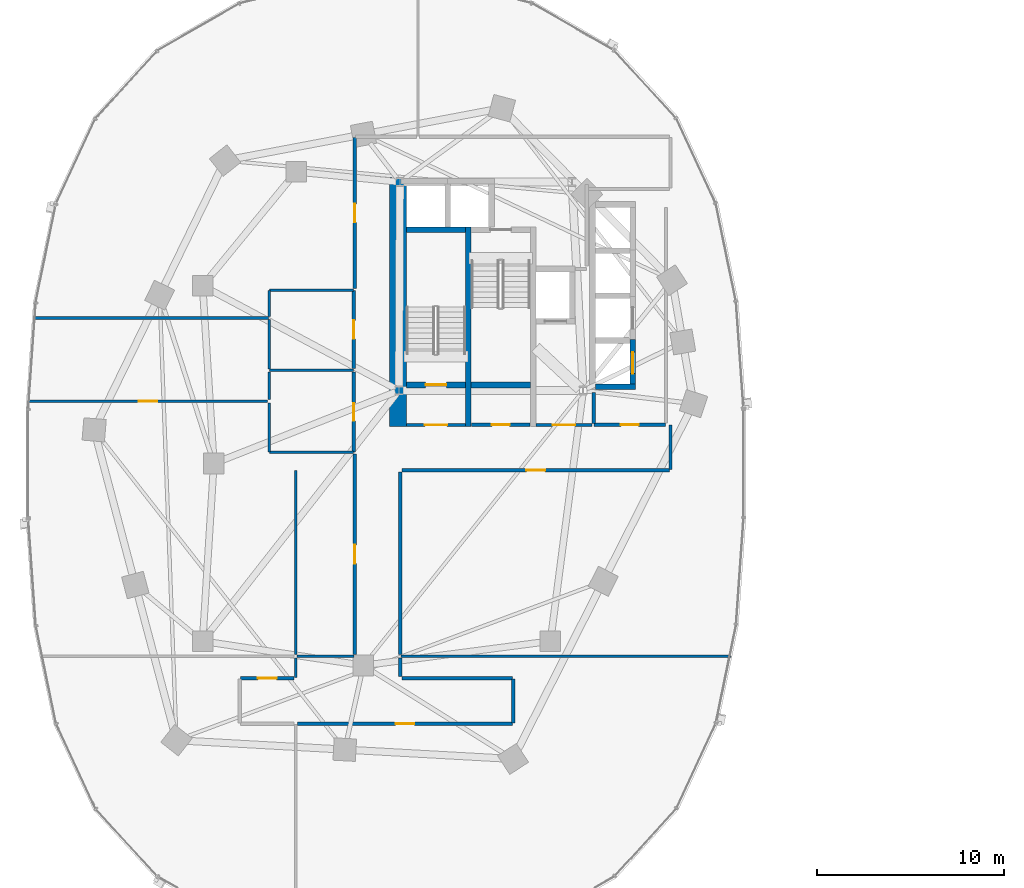
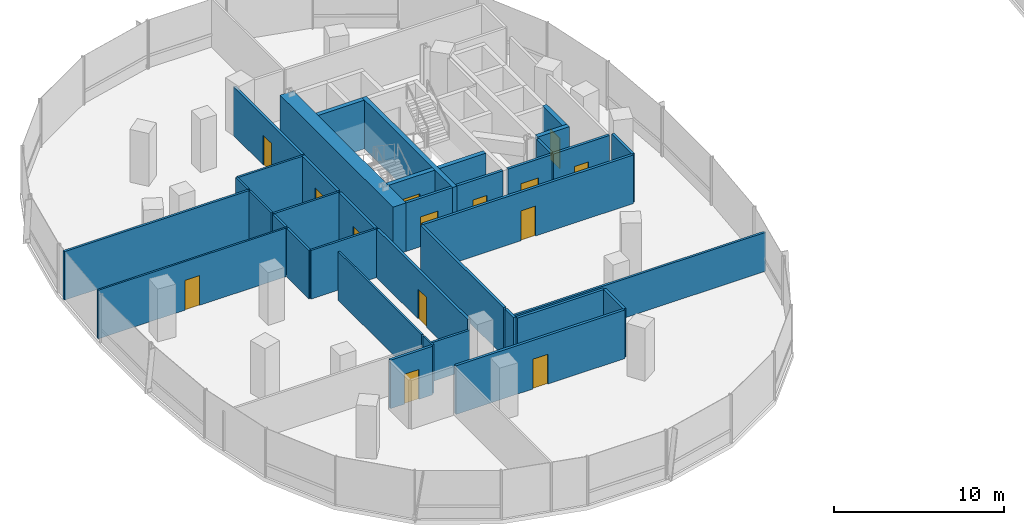
# One storey, part 11 of 21: 37 walls, 14 doors, 14 openings.
"""IFC4 building model written with IfcOpenShell, lengths in metres."""

from ifc_helpers import new_model, si_unit, direction, frame, frame_2d, origin, place, context, subcontext, project, spatial, rectangle, extrude, material, layer, layer_set, type_object, element, fill, save


model = new_model("IFC4")

# Units and contexts
model_context = context("Model", 3, precision=1e-05, world=origin(), true_north=direction((0.0, 1.0)))
body_context = subcontext(model_context, "Body", "Model", "MODEL_VIEW")
ifc_project = project(units=[si_unit("LENGTHUNIT", "METRE"), si_unit("AREAUNIT", "SQUARE_METRE"), si_unit("VOLUMEUNIT", "CUBIC_METRE"), si_unit("PLANEANGLEUNIT", "RADIAN"), si_unit("MASSUNIT", "GRAM", prefix="KILO"), si_unit("THERMODYNAMICTEMPERATUREUNIT", "KELVIN"), si_unit("POWERUNIT", "WATT")], contexts=[model_context])

# Site, building, storey
site_placement = place(None, origin())
site = spatial("IfcSite", under=ifc_project, at=site_placement, CompositionType="ELEMENT")
building_placement = place(site_placement, origin())
building = spatial("IfcBuilding", under=site, at=building_placement, Name="Cundina Bronze Exchange", CompositionType="ELEMENT")
storey_placement = place(building_placement, frame((0.0, 0.0, 50.60009765625)))
storey = spatial("IfcBuildingStorey", under=building, at=storey_placement, Name="L12", CompositionType="ELEMENT", Elevation=50.60009765625)

# Wall
ifc_material_1 = material(Name="Gypsum Fireboard Partition EI120")
ifc_layer_1 = layer(ifc_material_1, 0.179931640625, Name="Gypsum Fireboard Partition EI120")
ifc_layer_set_1 = layer_set([ifc_layer_1], Name="Gypsum Fireboard Partition EI120")
wall_type_1 = type_object("IfcWallType", Name="WL-COR-180", PredefinedType="PARTITIONING", material=ifc_layer_set_1)
wall_1_placement = place(storey_placement, frame((-20.889892578125, 2.14990234375, 0.0), z_axis=(0.0, 0.0, 1.0), x_axis=(0.0, 1.0, 0.0)))
element("IfcWall", 1, at=wall_1_placement, inside=storey, type_object=wall_type_1, Name="L12 W Firefighting Lobby Side Wall", PredefinedType="PARTITIONING", context=body_context, shape_type="SweptSolid", body=[
    extrude(rectangle(XDim=1.650146484375, YDim=0.179931640625, at=frame_2d((0.8251953125, 0.0))), origin(), (0.0, 0.0, 1.0), 3.5),
])

# Wall, opening, door
wall_2_placement = place(storey_placement, frame((-23.97998046875, 2.06005859375, 0.0), z_axis=(0.0, 0.0, 1.0), x_axis=(1.0, 0.0, 0.0)))
wall_2 = element("IfcWall", 2, at=wall_2_placement, inside=storey, type_object=wall_type_1, Name="L12 W Firefighting Lobby Exit Wall", PredefinedType="PARTITIONING", context=body_context, shape_type="SweptSolid", body=[
    extrude(rectangle(XDim=3.0, YDim=0.179931640625, at=frame_2d((1.5, 0.0))), origin(), (0.0, 0.0, 1.0), 3.5),
])
opening_1_placement = place(wall_2_placement, frame((0.89990234375, 0.0, 0.0)))
opening_1 = element("IfcOpeningElement", 3, at=opening_1_placement, cuts=wall_2, Name="Opening DF-01", PredefinedType="OPENING", context=body_context, shape_type="SweptSolid", body=[
    extrude(rectangle(XDim=1.199951171875, YDim=2.14990234375, at=frame_2d((0.60009765625, 1.074951171875))), frame((0.0, 0.099853515625, 0.0), z_axis=(0.0, -1.0, 0.0), x_axis=(1.0, 0.0, 0.0)), (0.0, 0.0, 1.0), 0.199951171875),
])
ifc_material_2 = material(Name="Steel ASTM A36 Painted", Category="steel")
door_type_1 = type_object("IfcDoorType", Name="DR-FFL-1200", OperationType="NOTDEFINED", PredefinedType="DOOR", material=ifc_material_2)
door_1_placement = place(opening_1_placement, origin())
door_1 = element("IfcDoor", 4, at=door_1_placement, inside=storey, type_object=door_type_1, Name="L12 W Firefighting Lobby Door", OperationType="SINGLE_SWING_RIGHT", OverallHeight=2.14990234375, OverallWidth=1.199951171875, PredefinedType="DOOR", context=body_context, shape_type="SweptSolid", body=[
    extrude(rectangle(XDim=1.199951171875, YDim=2.14990234375, at=frame_2d((0.60009765625, 1.074951171875))), frame((0.0, 0.02490234375, 0.0), z_axis=(0.0, -1.0, 0.0), x_axis=(1.0, 0.0, 0.0)), (0.0, 0.0, 1.0), 0.050048828125),
])
fill(opening_1, door_1)

wall_3_placement = place(storey_placement, frame((-30.89990234375, 2.06005859375, 0.0), z_axis=(0.0, 0.0, 1.0), x_axis=(1.0, 0.0, 0.0)))
wall_3 = element("IfcWall", 5, at=wall_3_placement, inside=storey, type_object=wall_type_1, Name="L12 W Stair Vestibule Exit Wall", PredefinedType="PARTITIONING", context=body_context, shape_type="SweptSolid", body=[
    extrude(rectangle(XDim=3.159912109375, YDim=0.179931640625, at=frame_2d((1.580078125, 0.0))), origin(), (0.0, 0.0, 1.0), 3.5),
])
opening_2_placement = place(wall_3_placement, frame((0.97998046875, 0.0, 0.0)))
opening_2 = element("IfcOpeningElement", 6, at=opening_2_placement, cuts=wall_3, Name="Opening DF-01", PredefinedType="OPENING", context=body_context, shape_type="SweptSolid", body=[
    extrude(rectangle(XDim=1.199951171875, YDim=2.14990234375, at=frame_2d((0.60009765625, 1.074951171875))), frame((0.0, 0.099853515625, 0.0), z_axis=(0.0, -1.0, 0.0), x_axis=(1.0, 0.0, 0.0)), (0.0, 0.0, 1.0), 0.199951171875),
])
door_2_placement = place(opening_2_placement, origin())
door_2 = element("IfcDoor", 7, at=door_2_placement, inside=storey, type_object=door_type_1, Name="L12 W Stair Vestibule Door", OperationType="SINGLE_SWING_LEFT", OverallHeight=2.14990234375, OverallWidth=1.199951171875, PredefinedType="DOOR", context=body_context, shape_type="SweptSolid", body=[
    extrude(rectangle(XDim=1.199951171875, YDim=2.14990234375, at=frame_2d((0.60009765625, 1.074951171875))), frame((0.0, 0.02490234375, 0.0), z_axis=(0.0, -1.0, 0.0), x_axis=(1.0, 0.0, 0.0)), (0.0, 0.0, 1.0), 0.050048828125),
])
fill(opening_2, door_2)

wall_4_placement = place(storey_placement, frame((-20.8701171875, 2.070068359375, 0.0), z_axis=(0.0, 0.0, 1.0), x_axis=(1.0, 0.0, 0.0)))
wall_4 = element("IfcWall", 8, at=wall_4_placement, inside=storey, type_object=wall_type_1, Name="L12 Interior Partition 002", PredefinedType="PARTITIONING", context=body_context, shape_type="SweptSolid", body=[
    extrude(rectangle(XDim=3.830078125, YDim=0.179931640625, at=frame_2d((1.9150390625, 0.0))), origin(), (0.0, 0.0, 1.0), 3.5),
])
opening_3_placement = place(wall_4_placement, frame((1.43994140625, 0.0, 0.0)))
opening_3 = element("IfcOpeningElement", 9, at=opening_3_placement, cuts=wall_4, Name="Opening DW-01", PredefinedType="OPENING", context=body_context, shape_type="SweptSolid", body=[
    extrude(rectangle(XDim=0.949951171875, YDim=2.10009765625, at=frame_2d((0.47509765625, 1.050048828125))), frame((0.0, 0.099853515625, 0.0), z_axis=(0.0, -1.0, 0.0), x_axis=(1.0, 0.0, 0.0)), (0.0, 0.0, 1.0), 0.199951171875),
])
ifc_material_3 = material(Name="Solid Andean Oak Timber Grade A", Category="wood")
door_type_2 = type_object("IfcDoorType", Name="DR-WC-950", OperationType="NOTDEFINED", PredefinedType="DOOR", material=ifc_material_3)
door_3_placement = place(opening_3_placement, origin())
door_3 = element("IfcDoor", 10, at=door_3_placement, inside=storey, type_object=door_type_2, Name="L12 Interior Door 002", OperationType="SINGLE_SWING_RIGHT", OverallHeight=2.10009765625, OverallWidth=0.949951171875, PredefinedType="DOOR", context=body_context, shape_type="SweptSolid", body=[
    extrude(rectangle(XDim=0.949951171875, YDim=2.10009765625, at=frame_2d((0.47509765625, 1.050048828125))), frame((0.0, 0.02490234375, 0.0), z_axis=(0.0, -1.0, 0.0), x_axis=(1.0, 0.0, 0.0)), (0.0, 0.0, 1.0), 0.050048828125),
])
fill(opening_3, door_3)

wall_5_placement = place(storey_placement, frame((-27.419921875, 2.070068359375, 0.0), z_axis=(0.0, 0.0, 1.0), x_axis=(1.0, 0.0, 0.0)))
wall_5 = element("IfcWall", 11, at=wall_5_placement, inside=storey, type_object=wall_type_1, Name="L12 Interior Partition 005", PredefinedType="PARTITIONING", context=body_context, shape_type="SweptSolid", body=[
    extrude(rectangle(XDim=3.119873046875, YDim=0.179931640625, at=frame_2d((1.56005859375, 0.0))), origin(), (0.0, 0.0, 1.0), 3.5),
])
opening_4_placement = place(wall_5_placement, frame((1.0849609375, 0.0, 0.0)))
opening_4 = element("IfcOpeningElement", 12, at=opening_4_placement, cuts=wall_5, Name="Opening DW-01", PredefinedType="OPENING", context=body_context, shape_type="SweptSolid", body=[
    extrude(rectangle(XDim=0.949951171875, YDim=2.10009765625, at=frame_2d((0.47509765625, 1.050048828125))), frame((0.0, 0.099853515625, 0.0), z_axis=(0.0, -1.0, 0.0), x_axis=(1.0, 0.0, 0.0)), (0.0, 0.0, 1.0), 0.199951171875),
])
door_4_placement = place(opening_4_placement, origin())
door_4 = element("IfcDoor", 13, at=door_4_placement, inside=storey, type_object=door_type_2, Name="L12 Interior Door 005", OperationType="SINGLE_SWING_RIGHT", OverallHeight=2.10009765625, OverallWidth=0.949951171875, PredefinedType="DOOR", context=body_context, shape_type="SweptSolid", body=[
    extrude(rectangle(XDim=0.949951171875, YDim=2.10009765625, at=frame_2d((0.47509765625, 1.050048828125))), frame((0.0, 0.02490234375, 0.0), z_axis=(0.0, -1.0, 0.0), x_axis=(1.0, 0.0, 0.0)), (0.0, 0.0, 1.0), 0.050048828125),
])
fill(opening_4, door_4)

wall_6_placement = place(storey_placement, frame((-33.719970703125, 0.6201171875, 0.0), z_axis=(0.0, 0.0, 1.0), x_axis=(0.0, 1.0, 0.0)))
wall_6 = element("IfcWall", 14, at=wall_6_placement, inside=storey, type_object=wall_type_1, Name="L12 Interior Partition 013", PredefinedType="PARTITIONING", context=body_context, shape_type="SweptSolid", body=[
    extrude(rectangle(XDim=4.259765625, YDim=0.179931640625, at=frame_2d((2.1298828125, 0.0))), origin(), (0.0, 0.0, 1.0), 3.5),
])
opening_5_placement = place(wall_6_placement, frame((1.655029296875, 0.0, 0.0)))
opening_5 = element("IfcOpeningElement", 15, at=opening_5_placement, cuts=wall_6, Name="Opening DW-01", PredefinedType="OPENING", context=body_context, shape_type="SweptSolid", body=[
    extrude(rectangle(XDim=0.949951171875, YDim=2.10009765625, at=frame_2d((0.47509765625, 1.050048828125))), frame((0.0, 0.099853515625, 0.0), z_axis=(0.0, -1.0, 0.0), x_axis=(1.0, 0.0, 0.0)), (0.0, 0.0, 1.0), 0.199951171875),
])
door_5_placement = place(opening_5_placement, origin())
door_5 = element("IfcDoor", 16, at=door_5_placement, inside=storey, type_object=door_type_2, Name="L12 Interior Door 013", OperationType="SINGLE_SWING_RIGHT", OverallHeight=2.10009765625, OverallWidth=0.949951171875, PredefinedType="DOOR", context=body_context, shape_type="SweptSolid", body=[
    extrude(rectangle(XDim=0.949951171875, YDim=2.10009765625, at=frame_2d((0.47509765625, 1.050048828125))), frame((0.0, 0.02490234375, 0.0), z_axis=(0.0, -1.0, 0.0), x_axis=(1.0, 0.0, 0.0)), (0.0, 0.0, 1.0), 0.050048828125),
])
fill(opening_5, door_5)

wall_7_placement = place(storey_placement, frame((-33.719970703125, 5.080078125, 0.0), z_axis=(0.0, 0.0, 1.0), x_axis=(0.0, 1.0, 0.0)))
wall_7 = element("IfcWall", 17, at=wall_7_placement, inside=storey, type_object=wall_type_1, Name="L12 Interior Partition 014", PredefinedType="PARTITIONING", context=body_context, shape_type="SweptSolid", body=[
    extrude(rectangle(XDim=4.159912109375, YDim=0.179931640625, at=frame_2d((2.080078125, 0.0))), origin(), (0.0, 0.0, 1.0), 3.5),
])
opening_6_placement = place(wall_7_placement, frame((1.580078125, 0.0, 0.0)))
opening_6 = element("IfcOpeningElement", 18, at=opening_6_placement, cuts=wall_7, Name="Opening DO-01", PredefinedType="OPENING", context=body_context, shape_type="SweptSolid", body=[
    extrude(rectangle(XDim=1.0, YDim=2.14990234375, at=frame_2d((0.5, 1.074951171875))), frame((0.0, 0.099853515625, 0.0), z_axis=(0.0, -1.0, 0.0), x_axis=(1.0, 0.0, 0.0)), (0.0, 0.0, 1.0), 0.199951171875),
])
door_type_3 = type_object("IfcDoorType", Name="DR-OFF-1000", OperationType="NOTDEFINED", PredefinedType="DOOR", material=ifc_material_3)
door_6_placement = place(opening_6_placement, origin())
door_6 = element("IfcDoor", 19, at=door_6_placement, inside=storey, type_object=door_type_3, Name="L12 Interior Door 014", OperationType="SINGLE_SWING_RIGHT", OverallHeight=2.14990234375, OverallWidth=1.0, PredefinedType="DOOR", context=body_context, shape_type="SweptSolid", body=[
    extrude(rectangle(XDim=1.0, YDim=2.14990234375, at=frame_2d((0.5, 1.074951171875))), frame((0.0, 0.02490234375, 0.0), z_axis=(0.0, -1.0, 0.0), x_axis=(1.0, 0.0, 0.0)), (0.0, 0.0, 1.0), 0.050048828125),
])
fill(opening_6, door_6)

wall_8_placement = place(storey_placement, frame((-36.72998046875, -13.919921875, 0.0), z_axis=(0.0, 0.0, 1.0), x_axis=(1.0, 0.0, 0.0)))
wall_8 = element("IfcWall", 20, at=wall_8_placement, inside=storey, type_object=wall_type_1, Name="L12 Interior Partition 023", PredefinedType="PARTITIONING", context=body_context, shape_type="SweptSolid", body=[
    extrude(rectangle(XDim=11.508544921875, YDim=0.179931640625, at=frame_2d((5.75439453125, 0.0))), origin(), (0.0, 0.0, 1.0), 3.5),
])
opening_7_placement = place(wall_8_placement, frame((5.254150390625, 0.0, 0.0)))
opening_7 = element("IfcOpeningElement", 21, at=opening_7_placement, cuts=wall_8, Name="Opening DO-01", PredefinedType="OPENING", context=body_context, shape_type="SweptSolid", body=[
    extrude(rectangle(XDim=1.0, YDim=2.14990234375, at=frame_2d((0.5, 1.074951171875))), frame((0.0, 0.099853515625, 0.0), z_axis=(0.0, -1.0, 0.0), x_axis=(1.0, 0.0, 0.0)), (0.0, 0.0, 1.0), 0.199951171875),
])
door_7_placement = place(opening_7_placement, origin())
door_7 = element("IfcDoor", 22, at=door_7_placement, inside=storey, type_object=door_type_3, Name="L12 Interior Door 023", OperationType="SINGLE_SWING_RIGHT", OverallHeight=2.14990234375, OverallWidth=1.0, PredefinedType="DOOR", context=body_context, shape_type="SweptSolid", body=[
    extrude(rectangle(XDim=1.0, YDim=2.14990234375, at=frame_2d((0.5, 1.074951171875))), frame((0.0, 0.02490234375, 0.0), z_axis=(0.0, -1.0, 0.0), x_axis=(1.0, 0.0, 0.0)), (0.0, 0.0, 1.0), 0.050048828125),
])
fill(opening_7, door_7)

# Walls
wall_9_placement = place(storey_placement, frame((-25.221435546875, -11.47998046875, 0.0), z_axis=(0.0, 0.0, 1.0), x_axis=(-1.0, 0.0, 0.0)))
element("IfcWall", 23, at=wall_9_placement, inside=storey, type_object=wall_type_1, Name="L12 Interior Partition 024", PredefinedType="PARTITIONING", context=body_context, shape_type="SweptSolid", body=[
    extrude(rectangle(XDim=5.928466796875, YDim=0.179931640625, at=frame_2d((2.96435546875, 0.0))), origin(), (0.0, 0.0, 1.0), 3.5),
])
wall_10_placement = place(storey_placement, frame((-25.179931640625, -13.87841796875, 0.0), z_axis=(0.0, 0.0, 1.0), x_axis=(0.0, 1.0, 0.0)))
element("IfcWall", 24, at=wall_10_placement, inside=storey, type_object=wall_type_1, Name="L12 Interior Partition 025", PredefinedType="PARTITIONING", context=body_context, shape_type="SweptSolid", body=[
    extrude(rectangle(XDim=2.35693359375, YDim=0.179931640625, at=frame_2d((1.178466796875, 0.0))), origin(), (0.0, 0.0, 1.0), 3.5),
])
wall_11_placement = place(storey_placement, frame((-31.22998046875, -11.39990234375, 0.0), z_axis=(0.0, 0.0, 1.0), x_axis=(0.0, 1.0, 0.0)))
element("IfcWall", 25, at=wall_11_placement, inside=storey, type_object=wall_type_1, Name="L12 Interior Partition 026", PredefinedType="PARTITIONING", context=body_context, shape_type="SweptSolid", body=[
    extrude(rectangle(XDim=1.0, YDim=0.179931640625, at=frame_2d((0.5, 0.0))), origin(), (0.0, 0.0, 1.0), 3.5),
])

# Wall, opening, door
wall_12_placement = place(storey_placement, frame((-36.909912109375, -11.47998046875, 0.0), z_axis=(0.0, 0.0, 1.0), x_axis=(-1.0, 0.0, 0.0)))
wall_12 = element("IfcWall", 26, at=wall_12_placement, inside=storey, type_object=wall_type_1, Name="L12 Interior Partition 027", PredefinedType="PARTITIONING", context=body_context, shape_type="SweptSolid", body=[
    extrude(rectangle(XDim=2.86865234375, YDim=0.179931640625, at=frame_2d((1.434326171875, 0.0))), origin(), (0.0, 0.0, 1.0), 3.5),
])
opening_8_placement = place(wall_12_placement, frame((0.934326171875, 0.0, 0.0)))
opening_8 = element("IfcOpeningElement", 27, at=opening_8_placement, cuts=wall_12, Name="Opening DO-01", PredefinedType="OPENING", context=body_context, shape_type="SweptSolid", body=[
    extrude(rectangle(XDim=1.0, YDim=2.14990234375, at=frame_2d((0.5, 1.074951171875))), frame((0.0, 0.099853515625, 0.0), z_axis=(0.0, -1.0, 0.0), x_axis=(1.0, 0.0, 0.0)), (0.0, 0.0, 1.0), 0.199951171875),
])
door_8_placement = place(opening_8_placement, origin())
door_8 = element("IfcDoor", 28, at=door_8_placement, inside=storey, type_object=door_type_3, Name="L12 Interior Door 027", OperationType="SINGLE_SWING_LEFT", OverallHeight=2.14990234375, OverallWidth=1.0, PredefinedType="DOOR", context=body_context, shape_type="SweptSolid", body=[
    extrude(rectangle(XDim=1.0, YDim=2.14990234375, at=frame_2d((0.5, 1.074951171875))), frame((0.0, 0.02490234375, 0.0), z_axis=(0.0, -1.0, 0.0), x_axis=(1.0, 0.0, 0.0)), (0.0, 0.0, 1.0), 0.050048828125),
])
fill(opening_8, door_8)

wall_13_placement = place(storey_placement, frame((-33.669921875, 0.508544921875, 0.0), z_axis=(0.0, 0.0, 1.0), x_axis=(0.0, -1.0, 0.0)))
wall_13 = element("IfcWall", 29, at=wall_13_placement, inside=storey, type_object=wall_type_1, Name="L12 Interior Partition 030", PredefinedType="PARTITIONING", context=body_context, shape_type="SweptSolid", body=[
    extrude(rectangle(XDim=10.728515625, YDim=0.179931640625, at=frame_2d((5.3642578125, 0.0))), origin(), (0.0, 0.0, 1.0), 3.5),
])
opening_9_placement = place(wall_13_placement, frame((4.8642578125, 0.0, 0.0)))
opening_9 = element("IfcOpeningElement", 30, at=opening_9_placement, cuts=wall_13, Name="Opening DO-01", PredefinedType="OPENING", context=body_context, shape_type="SweptSolid", body=[
    extrude(rectangle(XDim=1.0, YDim=2.14990234375, at=frame_2d((0.5, 1.074951171875))), frame((0.0, 0.099853515625, 0.0), z_axis=(0.0, -1.0, 0.0), x_axis=(1.0, 0.0, 0.0)), (0.0, 0.0, 1.0), 0.199951171875),
])
door_9_placement = place(opening_9_placement, origin())
door_9 = element("IfcDoor", 31, at=door_9_placement, inside=storey, type_object=door_type_3, Name="L12 Interior Door 030", OperationType="SINGLE_SWING_LEFT", OverallHeight=2.14990234375, OverallWidth=1.0, PredefinedType="DOOR", context=body_context, shape_type="SweptSolid", body=[
    extrude(rectangle(XDim=1.0, YDim=2.14990234375, at=frame_2d((0.5, 1.074951171875))), frame((0.0, 0.02490234375, 0.0), z_axis=(0.0, -1.0, 0.0), x_axis=(1.0, 0.0, 0.0)), (0.0, 0.0, 1.0), 0.050048828125),
])
fill(opening_9, door_9)

wall_14_placement = place(storey_placement, frame((-31.14990234375, -0.3701171875, 0.0), z_axis=(0.0, 0.0, 1.0), x_axis=(1.0, 0.0, 0.0)))
wall_14 = element("IfcWall", 32, at=wall_14_placement, inside=storey, type_object=wall_type_1, Name="L12 Interior Partition 031", PredefinedType="PARTITIONING", context=body_context, shape_type="SweptSolid", body=[
    extrude(rectangle(XDim=14.328369140625, YDim=0.179931640625, at=frame_2d((7.1640625, 0.0))), origin(), (0.0, 0.0, 1.0), 3.5),
])
opening_10_placement = place(wall_14_placement, frame((6.664306640625, 0.0, 0.0)))
opening_10 = element("IfcOpeningElement", 33, at=opening_10_placement, cuts=wall_14, Name="Opening DO-01", PredefinedType="OPENING", context=body_context, shape_type="SweptSolid", body=[
    extrude(rectangle(XDim=1.0, YDim=2.14990234375, at=frame_2d((0.5, 1.074951171875))), frame((0.0, 0.099853515625, 0.0), z_axis=(0.0, -1.0, 0.0), x_axis=(1.0, 0.0, 0.0)), (0.0, 0.0, 1.0), 0.199951171875),
])
door_10_placement = place(opening_10_placement, origin())
door_10 = element("IfcDoor", 34, at=door_10_placement, inside=storey, type_object=door_type_3, Name="L12 Interior Door 031", OperationType="SINGLE_SWING_RIGHT", OverallHeight=2.14990234375, OverallWidth=1.0, PredefinedType="DOOR", context=body_context, shape_type="SweptSolid", body=[
    extrude(rectangle(XDim=1.0, YDim=2.14990234375, at=frame_2d((0.5, 1.074951171875))), frame((0.0, 0.02490234375, 0.0), z_axis=(0.0, -1.0, 0.0), x_axis=(1.0, 0.0, 0.0)), (0.0, 0.0, 1.0), 0.050048828125),
])
fill(opening_10, door_10)

# Walls
wall_15_placement = place(storey_placement, frame((-31.22998046875, -10.219970703125, 0.0), z_axis=(0.0, 0.0, 1.0), x_axis=(0.0, 1.0, 0.0)))
element("IfcWall", 35, at=wall_15_placement, inside=storey, type_object=wall_type_1, Name="L12 Interior Partition 033", PredefinedType="PARTITIONING", context=body_context, shape_type="SweptSolid", body=[
    extrude(rectangle(XDim=9.77001953125, YDim=0.179931640625, at=frame_2d((4.885009765625, 0.0))), origin(), (0.0, 0.0, 1.0), 3.5),
])
wall_16_placement = place(storey_placement, frame((-16.780029296875, -0.32861328125, 0.0), z_axis=(0.0, 0.0, 1.0), x_axis=(0.0, 1.0, 0.0)))
element("IfcWall", 36, at=wall_16_placement, inside=storey, type_object=wall_type_1, Name="L12 Interior Partition 036", PredefinedType="PARTITIONING", context=body_context, shape_type="SweptSolid", body=[
    extrude(rectangle(XDim=2.38720703125, YDim=0.179931640625, at=frame_2d((1.193603515625, 0.0))), origin(), (0.0, 0.0, 1.0), 3.5),
])

# Wall, opening, door
wall_17_placement = place(storey_placement, frame((-33.669921875, 17.428466796875, 0.0), z_axis=(0.0, 0.0, 1.0), x_axis=(0.0, -1.0, 0.0)))
wall_17 = element("IfcWall", 37, at=wall_17_placement, inside=storey, type_object=wall_type_1, Name="L12 Interior Partition 037", PredefinedType="PARTITIONING", context=body_context, shape_type="SweptSolid", body=[
    extrude(rectangle(XDim=8.0771484375, YDim=0.179931640625, at=frame_2d((4.03857421875, 0.0))), origin(), (0.0, 0.0, 1.0), 3.5),
])
opening_11_placement = place(wall_17_placement, frame((3.53857421875, 0.0, 0.0)))
opening_11 = element("IfcOpeningElement", 38, at=opening_11_placement, cuts=wall_17, Name="Opening DO-01", PredefinedType="OPENING", context=body_context, shape_type="SweptSolid", body=[
    extrude(rectangle(XDim=1.0, YDim=2.14990234375, at=frame_2d((0.5, 1.074951171875))), frame((0.0, 0.099853515625, 0.0), z_axis=(0.0, -1.0, 0.0), x_axis=(1.0, 0.0, 0.0)), (0.0, 0.0, 1.0), 0.199951171875),
])
door_11_placement = place(opening_11_placement, origin())
door_11 = element("IfcDoor", 39, at=door_11_placement, inside=storey, type_object=door_type_3, Name="L12 Interior Door 037", OperationType="SINGLE_SWING_LEFT", OverallHeight=2.14990234375, OverallWidth=1.0, PredefinedType="DOOR", context=body_context, shape_type="SweptSolid", body=[
    extrude(rectangle(XDim=1.0, YDim=2.14990234375, at=frame_2d((0.5, 1.074951171875))), frame((0.0, 0.02490234375, 0.0), z_axis=(0.0, -1.0, 0.0), x_axis=(1.0, 0.0, 0.0)), (0.0, 0.0, 1.0), 0.050048828125),
])
fill(opening_11, door_11)

# Walls
ifc_material_4 = material(Name="Concrete C60/75", Category="concrete")
ifc_layer_2 = layer(ifc_material_4, 0.89990234375, Name="Concrete C60/75", Category="concrete")
ifc_layer_set_2 = layer_set([ifc_layer_2], Name="Concrete C60/75")
wall_type_2 = type_object("IfcWallType", Name="WL-CORE-900", PredefinedType="SHEAR", material=ifc_layer_set_2)
wall_18_placement = place(storey_placement, frame((-31.35009765625, 1.969970703125, 0.0), z_axis=(0.0, 0.0, 1.0), x_axis=(0.0, 1.0, 0.0)))
element("IfcWall", 40, at=wall_18_placement, inside=storey, type_object=wall_type_2, Name="L12 W Primary Core Shear Spine Wall", PredefinedType="SHEAR", context=body_context, shape_type="SweptSolid", body=[
    extrude(rectangle(XDim=13.330078125, YDim=0.89990234375, at=frame_2d((6.6650390625, 0.0))), origin(), (0.0, 0.0, 1.0), 3.5),
])
ifc_material_5 = material(Name="Gypsum Acoustic Partition EI60")
ifc_layer_3 = layer(ifc_material_5, 0.125, Name="Gypsum Acoustic Partition EI60")
ifc_layer_set_3 = layer_set([ifc_layer_3], Name="Gypsum Acoustic Partition EI60")
wall_type_3 = type_object("IfcWallType", Name="WL-OFF-125", PredefinedType="PARTITIONING", material=ifc_layer_set_3)
wall_19_placement = place(storey_placement, frame((-36.820068359375, -11.449951171875, 0.0), z_axis=(0.0, 0.0, 1.0), x_axis=(0.0, 1.0, 0.0)))
element("IfcWall", 41, at=wall_19_placement, inside=storey, type_object=wall_type_3, Name="L12 Interior Partition 016", PredefinedType="PARTITIONING", context=body_context, shape_type="SweptSolid", body=[
    extrude(rectangle(XDim=1.054931640625, YDim=0.125, at=frame_2d((0.52734375, 0.0))), origin(), (0.0, 0.0, 1.0), 3.5),
])
wall_20_placement = place(storey_placement, frame((-36.820068359375, -10.22509765625, 0.0), z_axis=(0.0, 0.0, 1.0), x_axis=(0.0, 1.0, 0.0)))
element("IfcWall", 42, at=wall_20_placement, inside=storey, type_object=wall_type_3, Name="L12 Interior Partition 017", PredefinedType="PARTITIONING", context=body_context, shape_type="SweptSolid", body=[
    extrude(rectangle(XDim=9.85498046875, YDim=0.125, at=frame_2d((4.927490234375, 0.0))), origin(), (0.0, 0.0, 1.0), 3.5),
])

# Wall, opening, door
wall_21_placement = place(storey_placement, frame((-38.320068359375, 3.330078125, 0.0), z_axis=(0.0, 0.0, 1.0), x_axis=(-1.0, 0.0, 0.0)))
wall_21 = element("IfcWall", 43, at=wall_21_placement, inside=storey, type_object=wall_type_3, Name="L12 Interior Partition 039", PredefinedType="PARTITIONING", context=body_context, shape_type="SweptSolid", body=[
    extrude(rectangle(XDim=12.80126953125, YDim=0.125, at=frame_2d((6.400634765625, 0.0))), origin(), (0.0, 0.0, 1.0), 3.5),
])
opening_12_placement = place(wall_21_placement, frame((5.900634765625, 0.0, 0.0)))
opening_12 = element("IfcOpeningElement", 44, at=opening_12_placement, cuts=wall_21, Name="Opening DO-01", PredefinedType="OPENING", context=body_context, shape_type="SweptSolid", body=[
    extrude(rectangle(XDim=1.0, YDim=2.14990234375, at=frame_2d((0.5, 1.074951171875))), frame((0.0, 0.072509765625, 0.0), z_axis=(0.0, -1.0, 0.0), x_axis=(1.0, 0.0, 0.0)), (0.0, 0.0, 1.0), 0.14501953125),
])
door_12_placement = place(opening_12_placement, origin())
door_12 = element("IfcDoor", 45, at=door_12_placement, inside=storey, type_object=door_type_3, Name="L12 Interior Door 039", OperationType="SINGLE_SWING_RIGHT", OverallHeight=2.14990234375, OverallWidth=1.0, PredefinedType="DOOR", context=body_context, shape_type="SweptSolid", body=[
    extrude(rectangle(XDim=1.0, YDim=2.14990234375, at=frame_2d((0.5, 1.074951171875))), frame((0.0, 0.02490234375, 0.0), z_axis=(0.0, -1.0, 0.0), x_axis=(1.0, 0.0, 0.0)), (0.0, 0.0, 1.0), 0.050048828125),
])
fill(opening_12, door_12)

# Wall
ifc_material_6 = material(Name="Concrete C50/60", Category="concrete")
ifc_layer_4 = layer(ifc_material_6, 0.300048828125, Name="Concrete C50/60", Category="concrete")
ifc_layer_set_4 = layer_set([ifc_layer_4], Name="Concrete C50/60")
wall_type_4 = type_object("IfcWallType", Name="WL-SHFT-300", PredefinedType="SHEAR", material=ifc_layer_set_4)
wall_22_placement = place(storey_placement, frame((-27.590087890625, 1.969970703125, 0.0), z_axis=(0.0, 0.0, 1.0), x_axis=(0.0, 1.0, 0.0)))
element("IfcWall", 46, at=wall_22_placement, inside=storey, type_object=wall_type_4, Name="L12 W Stair Shaft Dividing Shear Wall", PredefinedType="SHEAR", context=body_context, shape_type="SweptSolid", body=[
    extrude(rectangle(XDim=10.679931640625, YDim=0.300048828125, at=frame_2d((5.33984375, 0.0))), origin(), (0.0, 0.0, 1.0), 3.5),
])

# Wall, opening, door
wall_23_placement = place(storey_placement, frame((-30.89990234375, 4.199951171875, 0.0), z_axis=(0.0, 0.0, 1.0), x_axis=(1.0, 0.0, 0.0)))
wall_23 = element("IfcWall", 47, at=wall_23_placement, inside=storey, type_object=wall_type_4, Name="L12 Stair W1 Landing Wall", PredefinedType="SHEAR", context=body_context, shape_type="SweptSolid", body=[
    extrude(rectangle(XDim=3.159912109375, YDim=0.300048828125, at=frame_2d((1.580078125, 0.0))), origin(), (0.0, 0.0, 1.0), 3.5),
])
opening_13_placement = place(wall_23_placement, frame((1.030029296875, 0.0, 0.0)))
opening_13 = element("IfcOpeningElement", 48, at=opening_13_placement, cuts=wall_23, Name="Opening DS-01", PredefinedType="OPENING", context=body_context, shape_type="SweptSolid", body=[
    extrude(rectangle(XDim=1.10009765625, YDim=2.14990234375, at=frame_2d((0.550048828125, 1.074951171875))), frame((0.0, 0.159912109375, 0.0), z_axis=(0.0, -1.0, 0.0), x_axis=(1.0, 0.0, 0.0)), (0.0, 0.0, 1.0), 0.320068359375),
])
door_type_4 = type_object("IfcDoorType", Name="DR-STR-1100", OperationType="NOTDEFINED", PredefinedType="DOOR", material=ifc_material_2)
door_13_placement = place(opening_13_placement, origin())
door_13 = element("IfcDoor", 49, at=door_13_placement, inside=storey, type_object=door_type_4, Name="L12 Smokeproof Stair W1 Door", OperationType="SINGLE_SWING_RIGHT", OverallHeight=2.14990234375, OverallWidth=1.10009765625, PredefinedType="DOOR", context=body_context, shape_type="SweptSolid", body=[
    extrude(rectangle(XDim=1.10009765625, YDim=2.14990234375, at=frame_2d((0.550048828125, 1.074951171875))), frame((0.0, 0.02490234375, 0.0), z_axis=(0.0, -1.0, 0.0), x_axis=(1.0, 0.0, 0.0)), (0.0, 0.0, 1.0), 0.050048828125),
])
fill(opening_13, door_13)

# Walls
for number, where, z_axis, x_axis, name in (
    (50, (-30.89990234375, 12.5, 0.0), (0.0, 0.0, 1.0), (1.0, 0.0, 0.0), "L12 Stair W1 Far Shaft Wall"),
    (51, (-27.43994140625, 4.199951171875, 0.0), (0.0, 0.0, 1.0), (1.0, 0.0, 0.0), "L12 Stair W2 Far Shaft Wall"),
):
    element("IfcWall", number, at=place(storey_placement, frame(where, z_axis=z_axis, x_axis=x_axis)), inside=storey, type_object=wall_type_4, Name=name, PredefinedType="SHEAR", context=body_context, shape_type="SweptSolid", body=[
        extrude(rectangle(XDim=3.159912109375, YDim=0.300048828125, at=frame_2d((1.580078125, 0.0))), origin(), (0.0, 0.0, 1.0), 3.5),
    ])
wall_24_placement = place(storey_placement, frame((-20.800048828125, 4.10009765625, 0.0), z_axis=(0.0, 0.0, 1.0), x_axis=(1.0, 0.0, 0.0)))
element("IfcWall", 52, at=wall_24_placement, inside=storey, type_object=wall_type_4, Name="L12 W Passenger Bank South Cap Wall", PredefinedType="SHEAR", context=body_context, shape_type="SweptSolid", body=[
    extrude(rectangle(XDim=2.150146484375, YDim=0.300048828125, at=frame_2d((1.0751953125, 0.0))), origin(), (0.0, 0.0, 1.0), 3.5),
])

# Wall, opening, door
wall_25_placement = place(storey_placement, frame((-18.800048828125, 4.1298828125, 0.0), z_axis=(0.0, 0.0, 1.0), x_axis=(0.0, 1.0, 0.0)))
wall_25 = element("IfcWall", 53, at=wall_25_placement, inside=storey, type_object=wall_type_4, Name="L12 PL-W2 Hoistway Front Wall", PredefinedType="SHEAR", context=body_context, shape_type="SweptSolid", body=[
    extrude(rectangle(XDim=2.490234375, YDim=0.300048828125, at=frame_2d((1.2451171875, 0.0))), origin(), (0.0, 0.0, 1.0), 3.5),
])
opening_14_placement = place(wall_25_placement, frame((0.669921875, 0.0, 0.0)))
opening_14 = element("IfcOpeningElement", 54, at=opening_14_placement, cuts=wall_25, Name="Opening LD-01", PredefinedType="OPENING", context=body_context, shape_type="SweptSolid", body=[
    extrude(rectangle(XDim=1.14990234375, YDim=2.199951171875, at=frame_2d((0.574951171875, 1.10009765625))), frame((0.0, 0.159912109375, 0.0), z_axis=(0.0, -1.0, 0.0), x_axis=(1.0, 0.0, 0.0)), (0.0, 0.0, 1.0), 0.320068359375),
])
door_type_5 = type_object("IfcDoorType", Name="DR-LND-1150", OperationType="NOTDEFINED", PredefinedType="TRAPDOOR", material=ifc_material_2)
door_14_placement = place(opening_14_placement, origin())
door_14 = element("IfcDoor", 55, at=door_14_placement, inside=storey, type_object=door_type_5, Name="L12 PL-W2 Sliding Landing Door", OperationType="SLIDING_TO_LEFT", OverallHeight=2.199951171875, OverallWidth=1.14990234375, PredefinedType="TRAPDOOR", context=body_context, shape_type="SweptSolid", body=[
    extrude(rectangle(XDim=1.14990234375, YDim=2.199951171875, at=frame_2d((0.574951171875, 1.10009765625))), frame((0.0, 0.02490234375, 0.0), z_axis=(0.0, -1.0, 0.0), x_axis=(1.0, 0.0, 0.0)), (0.0, 0.0, 1.0), 0.050048828125),
])
fill(opening_14, door_14)

# Walls
ifc_layer_5 = layer(ifc_material_5, 0.14990234375, Name="Gypsum Acoustic Partition EI60")
ifc_layer_set_5 = layer_set([ifc_layer_5], Name="Gypsum Acoustic Partition EI60")
wall_type_5 = type_object("IfcWallType", Name="WL-TEN-150", PredefinedType="PARTITIONING", material=ifc_layer_set_5)
wall_26_placement = place(storey_placement, frame((-36.7451171875, -10.31005859375, 0.0), z_axis=(0.0, 0.0, 1.0), x_axis=(1.0, 0.0, 0.0)))
element("IfcWall", 56, at=wall_26_placement, inside=storey, type_object=wall_type_5, Name="L12 Interior Partition 019", PredefinedType="PARTITIONING", context=body_context, shape_type="SweptSolid", body=[
    extrude(rectangle(XDim=3.045166015625, YDim=0.14990234375, at=frame_2d((1.5224609375, 0.0))), origin(), (0.0, 0.0, 1.0), 2.804931640625),
])
wall_27_placement = place(storey_placement, frame((-31.199951171875, -10.31005859375, 0.0), z_axis=(0.0, 0.0, 1.0), x_axis=(1.0, 0.0, 0.0)))
element("IfcWall", 57, at=wall_27_placement, inside=storey, type_object=wall_type_5, Name="L12 Interior Partition 020", PredefinedType="PARTITIONING", context=body_context, shape_type="SweptSolid", body=[
    extrude(rectangle(XDim=17.66357421875, YDim=0.14990234375, at=frame_2d((8.831787109375, 0.0))), origin(), (0.0, 0.0, 1.0), 2.804931640625),
])
wall_28_placement = place(storey_placement, frame((-50.866455078125, 7.780029296875, 0.0), z_axis=(0.0, 0.0, 1.0), x_axis=(1.0, 0.0, 0.0)))
element("IfcWall", 58, at=wall_28_placement, inside=storey, type_object=wall_type_5, Name="L12 Interior Partition 021", PredefinedType="PARTITIONING", context=body_context, shape_type="SweptSolid", body=[
    extrude(rectangle(XDim=12.596435546875, YDim=0.14990234375, at=frame_2d((6.29833984375, 0.0))), origin(), (0.0, 0.0, 1.0), 3.5),
])
ifc_material_7 = material(Name="Moisture-Resistant Masonry Block Grade M15", Category="masonry")
ifc_layer_6 = layer(ifc_material_7, 0.139892578125, Name="Moisture-Resistant Masonry Block Grade M15", Category="masonry")
ifc_layer_set_6 = layer_set([ifc_layer_6], Name="Moisture-Resistant Masonry Block Grade M15")
wall_type_6 = type_object("IfcWallType", Name="WL-WET-140", PredefinedType="PARTITIONING", material=ifc_layer_set_6)
wall_29_placement = place(storey_placement, frame((-38.239990234375, 0.6201171875, 0.0), z_axis=(0.0, 0.0, 1.0), x_axis=(0.0, 1.0, 0.0)))
element("IfcWall", 59, at=wall_29_placement, inside=storey, type_object=wall_type_6, Name="L12 Interior Partition 006", PredefinedType="PARTITIONING", context=body_context, shape_type="SweptSolid", body=[
    extrude(rectangle(XDim=2.625, YDim=0.139892578125, at=frame_2d((1.3125, 0.0))), origin(), (0.0, 0.0, 1.0), 3.5),
])
wall_30_placement = place(storey_placement, frame((-38.239990234375, 3.4150390625, 0.0), z_axis=(0.0, 0.0, 1.0), x_axis=(0.0, 1.0, 0.0)))
element("IfcWall", 60, at=wall_30_placement, inside=storey, type_object=wall_type_6, Name="L12 Interior Partition 007", PredefinedType="PARTITIONING", context=body_context, shape_type="SweptSolid", body=[
    extrude(rectangle(XDim=1.47998046875, YDim=0.139892578125, at=frame_2d((0.739990234375, 0.0))), origin(), (0.0, 0.0, 1.0), 3.5),
])
wall_31_placement = place(storey_placement, frame((-38.239990234375, 5.06494140625, 0.0), z_axis=(0.0, 0.0, 1.0), x_axis=(0.0, 1.0, 0.0)))
element("IfcWall", 61, at=wall_31_placement, inside=storey, type_object=wall_type_6, Name="L12 Interior Partition 008", PredefinedType="PARTITIONING", context=body_context, shape_type="SweptSolid", body=[
    extrude(rectangle(XDim=2.630126953125, YDim=0.139892578125, at=frame_2d((1.31494140625, 0.0))), origin(), (0.0, 0.0, 1.0), 3.5),
])
wall_32_placement = place(storey_placement, frame((-38.239990234375, 7.864990234375, 0.0), z_axis=(0.0, 0.0, 1.0), x_axis=(0.0, 1.0, 0.0)))
element("IfcWall", 62, at=wall_32_placement, inside=storey, type_object=wall_type_6, Name="L12 Interior Partition 009", PredefinedType="PARTITIONING", context=body_context, shape_type="SweptSolid", body=[
    extrude(rectangle(XDim=1.375, YDim=0.139892578125, at=frame_2d((0.6875, 0.0))), origin(), (0.0, 0.0, 1.0), 3.5),
])
for number, where, z_axis, x_axis, name in (
    (63, (-38.219970703125, 0.60009765625, 0.0), (0.0, 0.0, 1.0), (1.0, 0.0, 0.0), "L12 Interior Partition 010"),
    (64, (-38.219970703125, 4.97998046875, 0.0), (0.0, 0.0, 1.0), (1.0, 0.0, 0.0), "L12 Interior Partition 011"),
    (65, (-38.219970703125, 9.260009765625, 0.0), (0.0, 0.0, 1.0), (1.0, 0.0, 0.0), "L12 Interior Partition 012"),
):
    element("IfcWall", number, at=place(storey_placement, frame(where, z_axis=z_axis, x_axis=x_axis)), inside=storey, type_object=wall_type_6, Name=name, PredefinedType="PARTITIONING", context=body_context, shape_type="SweptSolid", body=[
        extrude(rectangle(XDim=4.47998046875, YDim=0.139892578125, at=frame_2d((2.239990234375, 0.0))), origin(), (0.0, 0.0, 1.0), 3.5),
    ])

save(model, "model.ifc")
